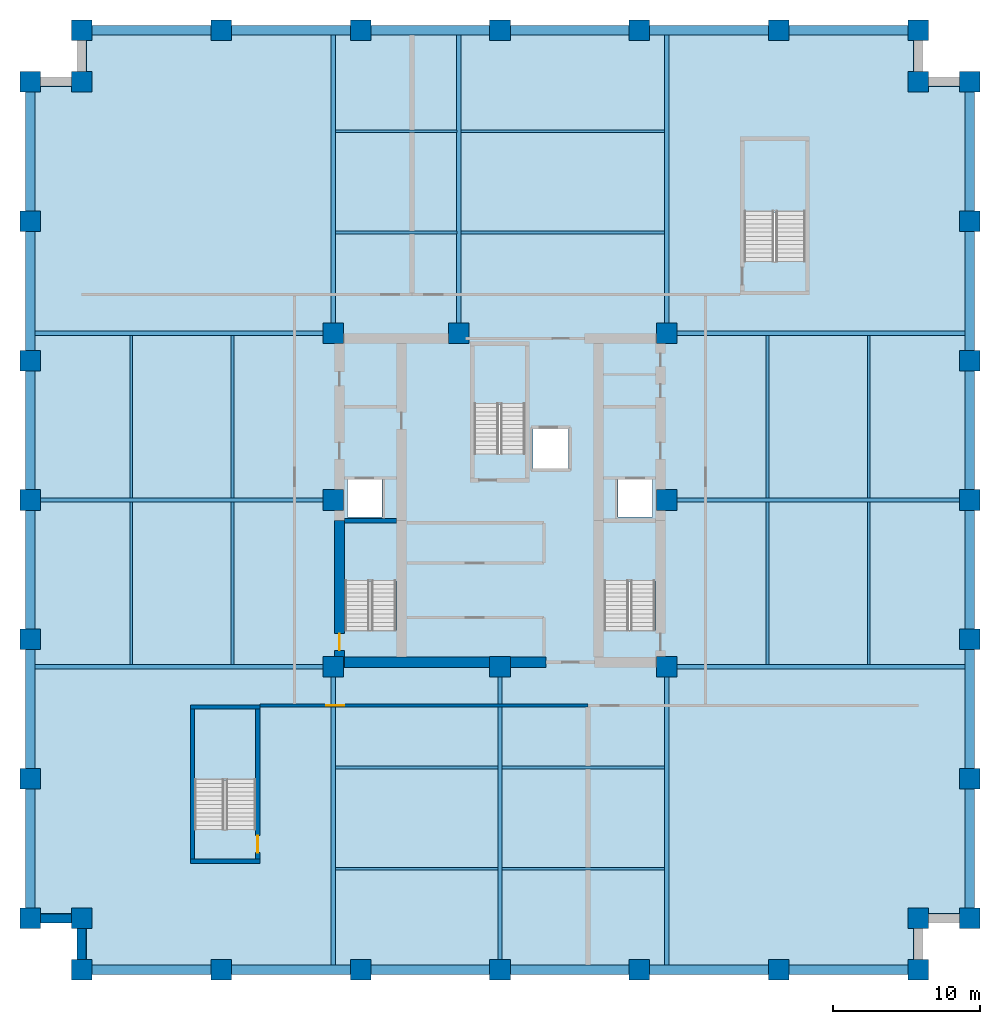
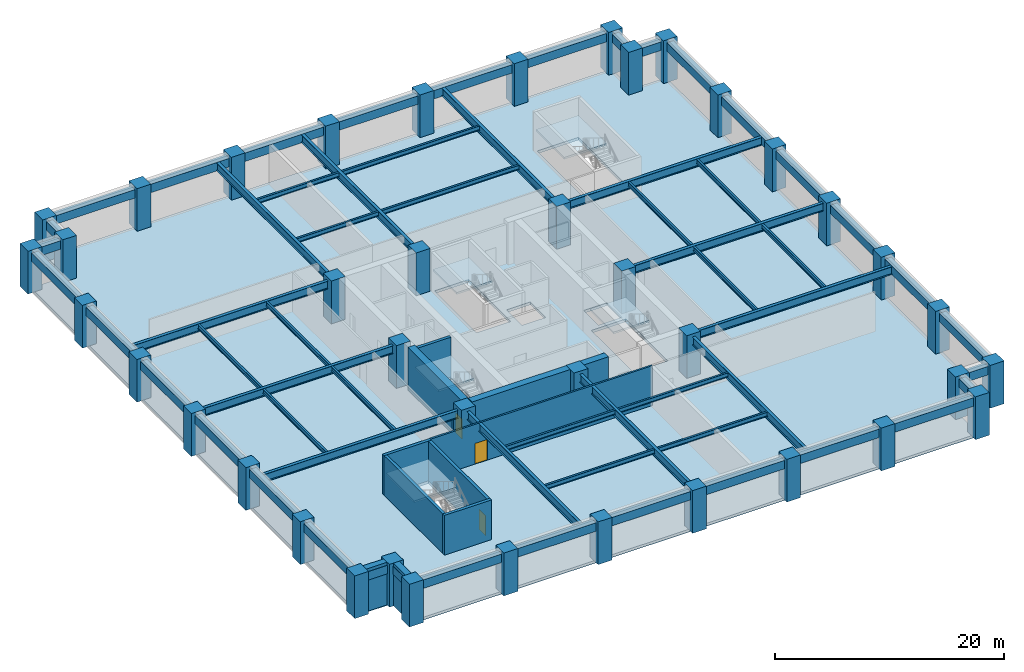
# One storey, part 1 of 6: 60 beams, 40 columns, 10 walls, 6 slabs, 3 doors, 3 openings, 5 elements without a shape of their own.
"""IFC4 building model written with IfcOpenShell, lengths in metres."""

from ifc_helpers import new_model, si_unit, direction, frame, frame_2d, origin, origin_2d, place, context, subcontext, project, spatial, polyline, rectangle, i_section, outline, extrude, material, layer, layer_set, material_profile, profile_set, type_object, element, fill, aggregate, save


model = new_model("IFC4")

# Units and contexts
model_context = context("Model", 3, precision=1e-05, world=origin(), true_north=direction((0.0, 1.0)))
body_context = subcontext(model_context, "Body", "Model", "MODEL_VIEW")
ifc_project = project(units=[si_unit("LENGTHUNIT", "METRE"), si_unit("AREAUNIT", "SQUARE_METRE"), si_unit("VOLUMEUNIT", "CUBIC_METRE"), si_unit("PLANEANGLEUNIT", "RADIAN"), si_unit("MASSUNIT", "GRAM", prefix="KILO")], contexts=[model_context])

# Site, building, storey
site_placement = place(None, origin())
site = spatial("IfcSite", under=ifc_project, at=site_placement, CompositionType="ELEMENT")
building_placement = place(site_placement, origin())
building = spatial("IfcBuilding", under=site, at=building_placement, Name="Nhamokura Convention Tower", CompositionType="ELEMENT")
storey_placement = place(building_placement, frame((0.0, 0.0, -4.550048828125)))
storey = spatial("IfcBuildingStorey", under=building, at=storey_placement, Name="B01", CompositionType="ELEMENT", Elevation=-4.550048828125)

# Columns
ifc_material_1 = material(Name="Concrete C70/85", Category="concrete")
ifc_material_profile_1 = material_profile(ifc_material_1, rectangle(XDim=1.39990234375, YDim=1.39990234375, at=origin_2d()))
ifc_profile_set_1 = profile_set([ifc_material_profile_1], Name="Concrete C70/85")
column_type = type_object("IfcColumnType", Name="TubeColumn_B_1400", PredefinedType="COLUMN", material=ifc_profile_set_1)
for number, where, z_axis, x_axis, name in (
    (1, (20.64990234375, 20.64990234375, 0.0), (0.0, 0.0, 1.0), (1.0, 0.0, 0.0), "B01 Core Column CC-SW"),
    (2, (32.0, 20.64990234375, 0.0), (0.0, 0.0, 1.0), (1.0, 0.0, 0.0), "B01 Core Column CC-S"),
    (3, (43.35009765625, 20.64990234375, 0.0), (0.0, 0.0, 1.0), (1.0, 0.0, 0.0), "B01 Core Column CC-SE"),
    (4, (43.35009765625, 32.0, 0.0), (0.0, 0.0, 1.0), (1.0, 0.0, 0.0), "B01 Core Column CC-E"),
    (5, (43.35009765625, 43.35009765625, 0.0), (0.0, 0.0, 1.0), (1.0, 0.0, 0.0), "B01 Core Column CC-NE"),
    (6, (29.199951171875, 43.35009765625, 0.0), (0.0, 0.0, 1.0), (1.0, 0.0, 0.0), "B01 Core Column CC-N"),
    (7, (20.64990234375, 43.35009765625, 0.0), (0.0, 0.0, 1.0), (1.0, 0.0, 0.0), "B01 Core Column CC-NW"),
    (8, (20.64990234375, 32.0, 0.0), (0.0, 0.0, 1.0), (1.0, 0.0, 0.0), "B01 Core Column CC-W"),
    (9, (3.5, 0.0, 0.0), (0.0, 0.0, 1.0), (1.0, 0.0, 0.0), "B01 Perimeter Tube Column SW1"),
    (10, (3.5, 3.5, 0.0), (0.0, 0.0, 1.0), (1.0, 0.0, 0.0), "B01 Perimeter Tube Column SW0"),
    (11, (0.0, 3.5, 0.0), (0.0, 0.0, 1.0), (1.0, 0.0, 0.0), "B01 Perimeter Tube Column SW2"),
    (12, (60.5, 0.0, 0.0), (0.0, 0.0, 1.0), (1.0, 0.0, 0.0), "B01 Perimeter Tube Column SE1"),
    (13, (60.5, 3.5, 0.0), (0.0, 0.0, 1.0), (1.0, 0.0, 0.0), "B01 Perimeter Tube Column SE0"),
    (14, (64.0, 3.5, 0.0), (0.0, 0.0, 1.0), (1.0, 0.0, 0.0), "B01 Perimeter Tube Column SE2"),
    (15, (64.0, 60.5, 0.0), (0.0, 0.0, 1.0), (1.0, 0.0, 0.0), "B01 Perimeter Tube Column NE1"),
    (16, (60.5, 60.5, 0.0), (0.0, 0.0, 1.0), (1.0, 0.0, 0.0), "B01 Perimeter Tube Column NE0"),
    (17, (60.5, 64.0, 0.0), (0.0, 0.0, 1.0), (1.0, 0.0, 0.0), "B01 Perimeter Tube Column NE2"),
    (18, (3.5, 64.0, 0.0), (0.0, 0.0, 1.0), (1.0, 0.0, 0.0), "B01 Perimeter Tube Column NW1"),
    (19, (3.5, 60.5, 0.0), (0.0, 0.0, 1.0), (1.0, 0.0, 0.0), "B01 Perimeter Tube Column NW0"),
    (20, (0.0, 60.5, 0.0), (0.0, 0.0, 1.0), (1.0, 0.0, 0.0), "B01 Perimeter Tube Column NW2"),
    (21, (13.0, 0.0, 0.0), (0.0, 0.0, 1.0), (1.0, 0.0, 0.0), "B01 Perimeter Tube Column S1"),
    (22, (13.0, 64.0, 0.0), (0.0, 0.0, 1.0), (1.0, 0.0, 0.0), "B01 Perimeter Tube Column N1"),
    (23, (0.0, 13.0, 0.0), (0.0, 0.0, 1.0), (1.0, 0.0, 0.0), "B01 Perimeter Tube Column W1"),
    (24, (64.0, 13.0, 0.0), (0.0, 0.0, 1.0), (1.0, 0.0, 0.0), "B01 Perimeter Tube Column E1"),
    (25, (22.5, 0.0, 0.0), (0.0, 0.0, 1.0), (1.0, 0.0, 0.0), "B01 Perimeter Tube Column S2"),
    (26, (22.5, 64.0, 0.0), (0.0, 0.0, 1.0), (1.0, 0.0, 0.0), "B01 Perimeter Tube Column N2"),
    (27, (0.0, 22.5, 0.0), (0.0, 0.0, 1.0), (1.0, 0.0, 0.0), "B01 Perimeter Tube Column W2"),
    (28, (64.0, 22.5, 0.0), (0.0, 0.0, 1.0), (1.0, 0.0, 0.0), "B01 Perimeter Tube Column E2"),
    (29, (32.0, 0.0, 0.0), (0.0, 0.0, 1.0), (1.0, 0.0, 0.0), "B01 Perimeter Tube Column S3"),
    (30, (32.0, 64.0, 0.0), (0.0, 0.0, 1.0), (1.0, 0.0, 0.0), "B01 Perimeter Tube Column N3"),
    (31, (0.0, 32.0, 0.0), (0.0, 0.0, 1.0), (1.0, 0.0, 0.0), "B01 Perimeter Tube Column W3"),
    (32, (64.0, 32.0, 0.0), (0.0, 0.0, 1.0), (1.0, 0.0, 0.0), "B01 Perimeter Tube Column E3"),
    (33, (41.5, 0.0, 0.0), (0.0, 0.0, 1.0), (1.0, 0.0, 0.0), "B01 Perimeter Tube Column S4"),
    (34, (41.5, 64.0, 0.0), (0.0, 0.0, 1.0), (1.0, 0.0, 0.0), "B01 Perimeter Tube Column N4"),
    (35, (0.0, 41.5, 0.0), (0.0, 0.0, 1.0), (1.0, 0.0, 0.0), "B01 Perimeter Tube Column W4"),
    (36, (64.0, 41.5, 0.0), (0.0, 0.0, 1.0), (1.0, 0.0, 0.0), "B01 Perimeter Tube Column E4"),
    (37, (51.0, 0.0, 0.0), (0.0, 0.0, 1.0), (1.0, 0.0, 0.0), "B01 Perimeter Tube Column S5"),
    (38, (51.0, 64.0, 0.0), (0.0, 0.0, 1.0), (1.0, 0.0, 0.0), "B01 Perimeter Tube Column N5"),
    (39, (0.0, 51.0, 0.0), (0.0, 0.0, 1.0), (1.0, 0.0, 0.0), "B01 Perimeter Tube Column W5"),
    (40, (64.0, 51.0, 0.0), (0.0, 0.0, 1.0), (1.0, 0.0, 0.0), "B01 Perimeter Tube Column E5"),
):
    element("IfcColumn", number, at=place(storey_placement, frame(where, z_axis=z_axis, x_axis=x_axis)), inside=storey, type_object=column_type, Name=name, PredefinedType="COLUMN", context=body_context, shape_type="SweptSolid", body=[
        extrude(rectangle(XDim=1.39990234375, YDim=1.39990234375, at=origin_2d()), origin(), (0.0, 0.0, 1.0), 4.550048828125),
    ])

# Beams
ifc_material_2 = material(Name="Steel ASTM A992 Gr 50", Category="steel")
ifc_material_profile_2 = material_profile(ifc_material_2, i_section(OverallWidth=0.19189453125, OverallDepth=0.462890625, WebThickness=0.010498046875, FlangeThickness=0.017578125, at=origin_2d()))
ifc_profile_set_2 = profile_set([ifc_material_profile_2], Name="Steel ASTM A992 Gr 50")
beam_type_1 = type_object("IfcBeamType", Name="FloorJoist_W460X89", PredefinedType="JOIST", material=ifc_profile_set_2)
for number, where, z_axis, x_axis, name in (
    (41, (20.794921875, 6.88330078125, 3.99853515625), (1.0, 0.0, 0.0), (0.0, 1.0, 0.0), "B01 Composite Floor Joist S1A"),
    (42, (32.14501953125, 6.88330078125, 3.99853515625), (1.0, 0.0, 0.0), (0.0, 1.0, 0.0), "B01 Composite Floor Joist S1B"),
    (43, (20.794921875, 13.7666015625, 3.99853515625), (1.0, 0.0, 0.0), (0.0, 1.0, 0.0), "B01 Composite Floor Joist S2A"),
    (44, (32.14501953125, 13.7666015625, 3.99853515625), (1.0, 0.0, 0.0), (0.0, 1.0, 0.0), "B01 Composite Floor Joist S2B"),
):
    element("IfcBeam", number, at=place(storey_placement, frame(where, z_axis=z_axis, x_axis=x_axis)), inside=storey, type_object=beam_type_1, Name=name, PredefinedType="JOIST", context=body_context, shape_type="SweptSolid", body=[
        extrude(i_section(OverallWidth=0.19189453125, OverallDepth=0.462890625, WebThickness=0.010498046875, FlangeThickness=0.017578125, at=origin_2d()), origin(), (0.0, 0.0, 1.0), 11.06005859375),
    ])
beam_1_placement = place(storey_placement, frame((20.794921875, 50.2333984375, 3.99853515625), z_axis=(1.0, 0.0, 0.0), x_axis=(0.0, 1.0, 0.0)))
element("IfcBeam", 45, at=beam_1_placement, inside=storey, type_object=beam_type_1, Name="B01 Composite Floor Joist N1A", PredefinedType="JOIST", context=body_context, shape_type="SweptSolid", body=[
    extrude(i_section(OverallWidth=0.19189453125, OverallDepth=0.462890625, WebThickness=0.010498046875, FlangeThickness=0.017578125, at=origin_2d()), origin(), (0.0, 0.0, 1.0), 8.260009765625),
])
beam_2_placement = place(storey_placement, frame((29.344970703125, 50.2333984375, 3.99853515625), z_axis=(1.0, 0.0, 0.0), x_axis=(0.0, 1.0, 0.0)))
element("IfcBeam", 46, at=beam_2_placement, inside=storey, type_object=beam_type_1, Name="B01 Composite Floor Joist N1B", PredefinedType="JOIST", context=body_context, shape_type="SweptSolid", body=[
    extrude(i_section(OverallWidth=0.19189453125, OverallDepth=0.462890625, WebThickness=0.010498046875, FlangeThickness=0.017578125, at=origin_2d()), origin(), (0.0, 0.0, 1.0), 13.860107421875),
])
beam_3_placement = place(storey_placement, frame((20.794921875, 57.11669921875, 3.99853515625), z_axis=(1.0, 0.0, 0.0), x_axis=(0.0, 1.0, 0.0)))
element("IfcBeam", 47, at=beam_3_placement, inside=storey, type_object=beam_type_1, Name="B01 Composite Floor Joist N2A", PredefinedType="JOIST", context=body_context, shape_type="SweptSolid", body=[
    extrude(i_section(OverallWidth=0.19189453125, OverallDepth=0.462890625, WebThickness=0.010498046875, FlangeThickness=0.017578125, at=origin_2d()), origin(), (0.0, 0.0, 1.0), 8.260009765625),
])
beam_4_placement = place(storey_placement, frame((29.344970703125, 57.11669921875, 3.99853515625), z_axis=(1.0, 0.0, 0.0), x_axis=(0.0, 1.0, 0.0)))
element("IfcBeam", 48, at=beam_4_placement, inside=storey, type_object=beam_type_1, Name="B01 Composite Floor Joist N2B", PredefinedType="JOIST", context=body_context, shape_type="SweptSolid", body=[
    extrude(i_section(OverallWidth=0.19189453125, OverallDepth=0.462890625, WebThickness=0.010498046875, FlangeThickness=0.017578125, at=origin_2d()), origin(), (0.0, 0.0, 1.0), 13.860107421875),
])
for number, where, z_axis, x_axis, name in (
    (49, (6.88330078125, 20.794921875, 3.99853515625), (0.0, 1.0, 0.0), (-1.0, 0.0, 0.0), "B01 Composite Floor Joist W1A"),
    (50, (6.88330078125, 32.14501953125, 3.99853515625), (0.0, 1.0, 0.0), (-1.0, 0.0, 0.0), "B01 Composite Floor Joist W1B"),
    (51, (13.7666015625, 20.794921875, 3.99853515625), (0.0, 1.0, 0.0), (-1.0, 0.0, 0.0), "B01 Composite Floor Joist W2A"),
    (52, (13.7666015625, 32.14501953125, 3.99853515625), (0.0, 1.0, 0.0), (-1.0, 0.0, 0.0), "B01 Composite Floor Joist W2B"),
    (53, (50.2333984375, 20.794921875, 3.99853515625), (0.0, 1.0, 0.0), (-1.0, 0.0, 0.0), "B01 Composite Floor Joist E1A"),
    (54, (50.2333984375, 32.14501953125, 3.99853515625), (0.0, 1.0, 0.0), (-1.0, 0.0, 0.0), "B01 Composite Floor Joist E1B"),
    (55, (57.11669921875, 20.794921875, 3.99853515625), (0.0, 1.0, 0.0), (-1.0, 0.0, 0.0), "B01 Composite Floor Joist E2A"),
    (56, (57.11669921875, 32.14501953125, 3.99853515625), (0.0, 1.0, 0.0), (-1.0, 0.0, 0.0), "B01 Composite Floor Joist E2B"),
):
    element("IfcBeam", number, at=place(storey_placement, frame(where, z_axis=z_axis, x_axis=x_axis)), inside=storey, type_object=beam_type_1, Name=name, PredefinedType="JOIST", context=body_context, shape_type="SweptSolid", body=[
        extrude(i_section(OverallWidth=0.19189453125, OverallDepth=0.462890625, WebThickness=0.010498046875, FlangeThickness=0.017578125, at=origin_2d()), origin(), (0.0, 0.0, 1.0), 11.06005859375),
    ])
ifc_material_3 = material(Name="Steel ASTM A992 Gr 50", Category="steel")
ifc_material_profile_3 = material_profile(ifc_material_3, i_section(OverallWidth=0.2939453125, OverallDepth=0.85107421875, WebThickness=0.01611328125, FlangeThickness=0.02685546875, at=origin_2d()))
ifc_profile_set_3 = profile_set([ifc_material_profile_3], Name="Steel ASTM A992 Gr 50")
beam_type_2 = type_object("IfcBeamType", Name="HallGirder_W840X226", PredefinedType="BEAM", material=ifc_profile_set_3)
for number, where, z_axis, x_axis, name in (
    (57, (20.64990234375, 0.0, 3.804443359375), (0.0, 1.0, 0.0), (-1.0, 0.0, 0.0), "B01 Primary Floor Girder PG-S1"),
    (58, (32.0, 0.0, 3.804443359375), (0.0, 1.0, 0.0), (-1.0, 0.0, 0.0), "B01 Primary Floor Girder PG-S2"),
    (59, (43.35009765625, 0.0, 3.804443359375), (0.0, 1.0, 0.0), (-1.0, 0.0, 0.0), "B01 Primary Floor Girder PG-S3"),
    (60, (20.64990234375, 43.35009765625, 3.804443359375), (0.0, 1.0, 0.0), (-1.0, 0.0, 0.0), "B01 Primary Floor Girder PG-N1"),
    (61, (29.199951171875, 43.35009765625, 3.804443359375), (0.0, 1.0, 0.0), (-1.0, 0.0, 0.0), "B01 Primary Floor Girder PG-N2"),
    (62, (43.35009765625, 43.35009765625, 3.804443359375), (0.0, 1.0, 0.0), (-1.0, 0.0, 0.0), "B01 Primary Floor Girder PG-N3"),
    (63, (0.0, 20.64990234375, 3.804443359375), (1.0, 0.0, 0.0), (0.0, 1.0, 0.0), "B01 Primary Floor Girder PG-W1"),
    (64, (0.0, 32.0, 3.804443359375), (1.0, 0.0, 0.0), (0.0, 1.0, 0.0), "B01 Primary Floor Girder PG-W2"),
    (65, (0.0, 43.35009765625, 3.804443359375), (1.0, 0.0, 0.0), (0.0, 1.0, 0.0), "B01 Primary Floor Girder PG-W3"),
    (66, (43.35009765625, 20.64990234375, 3.804443359375), (1.0, 0.0, 0.0), (0.0, 1.0, 0.0), "B01 Primary Floor Girder PG-E1"),
    (67, (43.35009765625, 32.0, 3.804443359375), (1.0, 0.0, 0.0), (0.0, 1.0, 0.0), "B01 Primary Floor Girder PG-E2"),
    (68, (43.35009765625, 43.35009765625, 3.804443359375), (1.0, 0.0, 0.0), (0.0, 1.0, 0.0), "B01 Primary Floor Girder PG-E3"),
):
    element("IfcBeam", number, at=place(storey_placement, frame(where, z_axis=z_axis, x_axis=x_axis)), inside=storey, type_object=beam_type_2, Name=name, PredefinedType="BEAM", context=body_context, shape_type="SweptSolid", body=[
        extrude(i_section(OverallWidth=0.2939453125, OverallDepth=0.85107421875, WebThickness=0.01611328125, FlangeThickness=0.02685546875, at=origin_2d()), origin(), (0.0, 0.0, 1.0), 20.64990234375),
    ])
ifc_material_4 = material(Name="Concrete C60/75", Category="concrete")
ifc_material_profile_4 = material_profile(ifc_material_4, rectangle(XDim=0.64990234375, YDim=0.89990234375, at=origin_2d()))
ifc_profile_set_4 = profile_set([ifc_material_profile_4], Name="Concrete C60/75")
beam_type_3 = type_object("IfcBeamType", Name="TubeSpandrel_900", PredefinedType="SPANDREL", material=ifc_profile_set_4)
for number, where, z_axis, x_axis, name in (
    (69, (3.5, 0.0, 3.780029296875), (1.0, 0.0, 0.0), (0.0, 1.0, 0.0), "B01 Perimeter Spandrel SOUTH 1"),
    (70, (13.0, 0.0, 3.780029296875), (1.0, 0.0, 0.0), (0.0, 1.0, 0.0), "B01 Perimeter Spandrel SOUTH 2"),
    (71, (22.5, 0.0, 3.780029296875), (1.0, 0.0, 0.0), (0.0, 1.0, 0.0), "B01 Perimeter Spandrel SOUTH 3"),
    (72, (32.0, 0.0, 3.780029296875), (1.0, 0.0, 0.0), (0.0, 1.0, 0.0), "B01 Perimeter Spandrel SOUTH 4"),
    (73, (41.5, 0.0, 3.780029296875), (1.0, 0.0, 0.0), (0.0, 1.0, 0.0), "B01 Perimeter Spandrel SOUTH 5"),
    (74, (51.0, 0.0, 3.780029296875), (1.0, 0.0, 0.0), (0.0, 1.0, 0.0), "B01 Perimeter Spandrel SOUTH 6"),
    (75, (3.5, 64.0, 3.780029296875), (1.0, 0.0, 0.0), (0.0, 1.0, 0.0), "B01 Perimeter Spandrel NORTH 1"),
    (76, (13.0, 64.0, 3.780029296875), (1.0, 0.0, 0.0), (0.0, 1.0, 0.0), "B01 Perimeter Spandrel NORTH 2"),
    (77, (22.5, 64.0, 3.780029296875), (1.0, 0.0, 0.0), (0.0, 1.0, 0.0), "B01 Perimeter Spandrel NORTH 3"),
    (78, (32.0, 64.0, 3.780029296875), (1.0, 0.0, 0.0), (0.0, 1.0, 0.0), "B01 Perimeter Spandrel NORTH 4"),
    (79, (41.5, 64.0, 3.780029296875), (1.0, 0.0, 0.0), (0.0, 1.0, 0.0), "B01 Perimeter Spandrel NORTH 5"),
    (80, (51.0, 64.0, 3.780029296875), (1.0, 0.0, 0.0), (0.0, 1.0, 0.0), "B01 Perimeter Spandrel NORTH 6"),
    (81, (0.0, 3.5, 3.780029296875), (0.0, 1.0, 0.0), (-1.0, 0.0, 0.0), "B01 Perimeter Spandrel WEST 1"),
    (82, (0.0, 13.0, 3.780029296875), (0.0, 1.0, 0.0), (-1.0, 0.0, 0.0), "B01 Perimeter Spandrel WEST 2"),
    (83, (0.0, 22.5, 3.780029296875), (0.0, 1.0, 0.0), (-1.0, 0.0, 0.0), "B01 Perimeter Spandrel WEST 3"),
    (84, (0.0, 32.0, 3.780029296875), (0.0, 1.0, 0.0), (-1.0, 0.0, 0.0), "B01 Perimeter Spandrel WEST 4"),
    (85, (0.0, 41.5, 3.780029296875), (0.0, 1.0, 0.0), (-1.0, 0.0, 0.0), "B01 Perimeter Spandrel WEST 5"),
    (86, (0.0, 51.0, 3.780029296875), (0.0, 1.0, 0.0), (-1.0, 0.0, 0.0), "B01 Perimeter Spandrel WEST 6"),
    (87, (64.0, 3.5, 3.780029296875), (0.0, 1.0, 0.0), (-1.0, 0.0, 0.0), "B01 Perimeter Spandrel EAST 1"),
    (88, (64.0, 13.0, 3.780029296875), (0.0, 1.0, 0.0), (-1.0, 0.0, 0.0), "B01 Perimeter Spandrel EAST 2"),
    (89, (64.0, 22.5, 3.780029296875), (0.0, 1.0, 0.0), (-1.0, 0.0, 0.0), "B01 Perimeter Spandrel EAST 3"),
    (90, (64.0, 32.0, 3.780029296875), (0.0, 1.0, 0.0), (-1.0, 0.0, 0.0), "B01 Perimeter Spandrel EAST 4"),
    (91, (64.0, 41.5, 3.780029296875), (0.0, 1.0, 0.0), (-1.0, 0.0, 0.0), "B01 Perimeter Spandrel EAST 5"),
    (92, (64.0, 51.0, 3.780029296875), (0.0, 1.0, 0.0), (-1.0, 0.0, 0.0), "B01 Perimeter Spandrel EAST 6"),
):
    element("IfcBeam", number, at=place(storey_placement, frame(where, z_axis=z_axis, x_axis=x_axis)), inside=storey, type_object=beam_type_3, Name=name, PredefinedType="SPANDREL", context=body_context, shape_type="SweptSolid", body=[
        extrude(rectangle(XDim=0.64990234375, YDim=0.89990234375, at=origin_2d()), origin(), (0.0, 0.0, 1.0), 9.5),
    ])
for number, where, z_axis, x_axis, name in (
    (93, (3.5, 0.0, 3.780029296875), (0.0, 1.0, 0.0), (-1.0, 0.0, 0.0), "B01 Notch Spandrel SW1"),
    (94, (3.5, 3.5, 3.780029296875), (-1.0, 0.0, 0.0), (0.0, -1.0, 0.0), "B01 Notch Spandrel SW2"),
    (95, (60.5, 0.0, 3.780029296875), (0.0, 1.0, 0.0), (-1.0, 0.0, 0.0), "B01 Notch Spandrel SE1"),
    (96, (60.5, 3.5, 3.780029296875), (1.0, 0.0, 0.0), (0.0, 1.0, 0.0), "B01 Notch Spandrel SE2"),
    (97, (64.0, 60.5, 3.780029296875), (-1.0, 0.0, 0.0), (0.0, -1.0, 0.0), "B01 Notch Spandrel NE1"),
    (98, (60.5, 60.5, 3.780029296875), (0.0, 1.0, 0.0), (-1.0, 0.0, 0.0), "B01 Notch Spandrel NE2"),
    (99, (3.5, 64.0, 3.780029296875), (0.0, -1.0, 0.0), (1.0, 0.0, 0.0), "B01 Notch Spandrel NW1"),
    (100, (3.5, 60.5, 3.780029296875), (-1.0, 0.0, 0.0), (0.0, -1.0, 0.0), "B01 Notch Spandrel NW2"),
):
    element("IfcBeam", number, at=place(storey_placement, frame(where, z_axis=z_axis, x_axis=x_axis)), inside=storey, type_object=beam_type_3, Name=name, PredefinedType="SPANDREL", context=body_context, shape_type="SweptSolid", body=[
        extrude(rectangle(XDim=0.64990234375, YDim=0.89990234375, at=origin_2d()), origin(), (0.0, 0.0, 1.0), 3.5),
    ])

# Slab
ifc_material_5 = material(Name="Concrete C50/60", Category="concrete")
ifc_layer_1 = layer(ifc_material_5, 0.300048828125)
ifc_layer_set_1 = layer_set([ifc_layer_1], Name="BasementFloorSlab_300")
slab_type_1 = type_object("IfcSlabType", Name="BasementFloorSlab_300", PredefinedType="FLOOR", material=ifc_layer_set_1)
slab_1_placement = place(storey_placement, frame((0.0, 0.0, -0.300048828125)))
element("IfcSlab", 101, at=slab_1_placement, inside=storey, type_object=slab_type_1, Name="B01 Structural Floor Slab", PredefinedType="FLOOR", context=body_context, shape_type="SweptSolid", body=[
    extrude(outline(polyline([(3.5, 0.0), (60.5, 0.0), (60.5, 3.5), (64.0, 3.5), (64.0, 60.5), (60.5, 60.5), (60.5, 64.0), (3.5, 64.0), (3.5, 60.5), (0.0, 60.5), (0.0, 3.5), (3.5, 3.5), (3.5, 0.0)]), holes=[polyline([(24.89990234375, 23.10009765625), (24.89990234375, 30.449951171875), (21.449951171875, 30.449951171875), (21.449951171875, 23.10009765625), (24.89990234375, 23.10009765625)]), polyline([(42.550048828125, 23.10009765625), (42.550048828125, 30.449951171875), (39.10009765625, 30.449951171875), (39.10009765625, 23.10009765625), (42.550048828125, 23.10009765625)]), polyline([(33.699951171875, 35.14990234375), (33.699951171875, 42.5), (30.25, 42.5), (30.25, 35.14990234375), (33.699951171875, 35.14990234375)]), polyline([(15.35009765625, 9.550048828125), (15.35009765625, 17.75), (11.199951171875, 17.75), (11.199951171875, 9.550048828125), (15.35009765625, 9.550048828125)]), polyline([(52.800048828125, 48.25), (52.800048828125, 56.449951171875), (48.64990234375, 56.449951171875), (48.64990234375, 48.25), (52.800048828125, 48.25)]), polyline([(21.60009765625, 30.85009765625), (23.949951171875, 30.85009765625), (23.949951171875, 33.39990234375), (21.60009765625, 33.39990234375), (21.60009765625, 30.85009765625)]), polyline([(40.050048828125, 30.85009765625), (42.39990234375, 30.85009765625), (42.39990234375, 33.39990234375), (40.050048828125, 33.39990234375), (40.050048828125, 30.85009765625)]), polyline([(34.25, 34.14990234375), (36.64990234375, 34.14990234375), (36.64990234375, 36.85009765625), (34.25, 36.85009765625), (34.25, 34.14990234375)])]), origin(), (0.0, 0.0, 1.0), 0.300048828125),
])

# Stair, slab
ifc_material_6 = material(Name="Concrete C40/50", Category="concrete")
stair_type_1 = type_object("IfcStairType", Name="TowerCoreStair_1650", PredefinedType="HALF_TURN_STAIR", material=ifc_material_6)
stair_1_placement = place(storey_placement, origin())
stair_1 = element("IfcStair", 102, at=stair_1_placement, inside=storey, type_object=stair_type_1, Name="B01 West Core Smokeproof Stair ST-01", PredefinedType="HALF_TURN_STAIR")
ifc_material_7 = material(Name="Concrete C40/50", Category="concrete")
ifc_layer_2 = layer(ifc_material_7, 0.199951171875)
ifc_layer_set_2 = layer_set([ifc_layer_2], Name="StairLandingSlab_200")
slab_type_2 = type_object("IfcSlabType", Name="StairLandingSlab_200", PredefinedType="LANDING", material=ifc_layer_set_2)
slab_2_placement = place(storey_placement, frame((0.0, 0.0, 2.074951171875)))
slab_2 = element("IfcSlab", 103, at=slab_2_placement, type_object=slab_type_2, Name="ST-01 landing 1", PredefinedType="LANDING", context=body_context, shape_type="SweptSolid", body=[
    extrude(outline(polyline([(24.97998046875, 26.43994140625), (24.97998046875, 30.530029296875), (21.3701171875, 30.530029296875), (21.3701171875, 26.43994140625), (24.97998046875, 26.43994140625)])), origin(), (0.0, 0.0, 1.0), 0.2001953125),
])
aggregate(stair_1, [slab_2])

stair_2_placement = place(storey_placement, origin())
stair_2 = element("IfcStair", 104, at=stair_2_placement, inside=storey, type_object=stair_type_1, Name="B01 East Core Smokeproof Stair ST-02", PredefinedType="HALF_TURN_STAIR")
slab_3_placement = place(storey_placement, frame((0.0, 0.0, 2.074951171875)))
slab_3 = element("IfcSlab", 105, at=slab_3_placement, type_object=slab_type_2, Name="ST-02 landing 1", PredefinedType="LANDING", context=body_context, shape_type="SweptSolid", body=[
    extrude(outline(polyline([(42.6298828125, 26.43994140625), (42.6298828125, 30.530029296875), (39.02001953125, 30.530029296875), (39.02001953125, 26.43994140625), (42.6298828125, 26.43994140625)])), origin(), (0.0, 0.0, 1.0), 0.2001953125),
])
aggregate(stair_2, [slab_3])

stair_3_placement = place(storey_placement, origin())
stair_3 = element("IfcStair", 106, at=stair_3_placement, inside=storey, type_object=stair_type_1, Name="B01 North Core Smokeproof Stair ST-03", PredefinedType="HALF_TURN_STAIR")
slab_4_placement = place(storey_placement, frame((0.0, 0.0, 2.074951171875)))
slab_4 = element("IfcSlab", 107, at=slab_4_placement, type_object=slab_type_2, Name="ST-03 landing 1", PredefinedType="LANDING", context=body_context, shape_type="SweptSolid", body=[
    extrude(outline(polyline([(33.780029296875, 38.489990234375), (33.780029296875, 42.580078125), (30.169921875, 42.580078125), (30.169921875, 38.489990234375), (33.780029296875, 38.489990234375)])), origin(), (0.0, 0.0, 1.0), 0.2001953125),
])
aggregate(stair_3, [slab_4])

ifc_material_8 = material(Name="Concrete C40/50", Category="concrete")
stair_type_2 = type_object("IfcStairType", Name="PodiumExitStair_2000", PredefinedType="HALF_TURN_STAIR", material=ifc_material_8)
stair_4_placement = place(storey_placement, origin())
stair_4 = element("IfcStair", 108, at=stair_4_placement, inside=storey, type_object=stair_type_2, Name="B01 South-West Podium Smokeproof Stair ST-04", PredefinedType="HALF_TURN_STAIR")
slab_5_placement = place(storey_placement, frame((0.0, 0.0, 2.074951171875)))
slab_5 = element("IfcSlab", 109, at=slab_5_placement, type_object=slab_type_2, Name="ST-04 landing 1", PredefinedType="LANDING", context=body_context, shape_type="SweptSolid", body=[
    extrude(outline(polyline([(15.429931640625, 12.889892578125), (15.429931640625, 17.830078125), (11.1201171875, 17.830078125), (11.1201171875, 12.889892578125), (15.429931640625, 12.889892578125)])), origin(), (0.0, 0.0, 1.0), 0.2001953125),
])
aggregate(stair_4, [slab_5])

stair_5_placement = place(storey_placement, origin())
stair_5 = element("IfcStair", 110, at=stair_5_placement, inside=storey, type_object=stair_type_2, Name="B01 North-East Podium Smokeproof Stair ST-05", PredefinedType="HALF_TURN_STAIR")
slab_6_placement = place(storey_placement, frame((0.0, 0.0, 2.074951171875)))
slab_6 = element("IfcSlab", 111, at=slab_6_placement, type_object=slab_type_2, Name="ST-05 landing 1", PredefinedType="LANDING", context=body_context, shape_type="SweptSolid", body=[
    extrude(outline(polyline([(52.8798828125, 51.590087890625), (52.8798828125, 56.530029296875), (48.570068359375, 56.530029296875), (48.570068359375, 51.590087890625), (52.8798828125, 51.590087890625)])), origin(), (0.0, 0.0, 1.0), 0.2001953125),
])
aggregate(stair_5, [slab_6])

# Walls
ifc_material_9 = material(Name="Concrete C50/60", Category="concrete")
ifc_layer_3 = layer(ifc_material_9, 0.60009765625)
ifc_layer_set_3 = layer_set([ifc_layer_3], Name="BasementRetainingWall_600")
wall_type_1 = type_object("IfcWallType", Name="BasementRetainingWall_600", PredefinedType="USERDEFINED", material=ifc_layer_set_3)
for number, where, z_axis, x_axis, name in (
    (112, (0.0, 3.5, 0.0), (0.0, 0.0, 1.0), (1.0, 0.0, 0.0), "B01 Perimeter Retaining Wall 11"),
    (113, (3.5, 3.5, 0.0), (0.0, 0.0, 1.0), (0.0, -1.0, 0.0), "B01 Perimeter Retaining Wall 12"),
):
    element("IfcWall", number, at=place(storey_placement, frame(where, z_axis=z_axis, x_axis=x_axis)), inside=storey, type_object=wall_type_1, Name=name, ObjectType="RETAININGWALL", PredefinedType="USERDEFINED", context=body_context, shape_type="SweptSolid", body=[
        extrude(rectangle(XDim=3.5, YDim=0.60009765625, at=frame_2d((1.75, 0.0))), origin(), (0.0, 0.0, 1.0), 4.550048828125),
    ])

# Wall, opening, door
ifc_material_10 = material(Name="Concrete C70/85", Category="concrete")
ifc_layer_4 = layer(ifc_material_10, 0.699951171875)
ifc_layer_set_4 = layer_set([ifc_layer_4], Name="CoreShearWall_700")
wall_type_2 = type_object("IfcWallType", Name="CoreShearWall_700", PredefinedType="SHEAR", material=ifc_layer_set_4)
wall_1_placement = place(storey_placement, frame((21.06005859375, 20.60009765625, 0.0), z_axis=(0.0, 0.0, 1.0), x_axis=(0.0, 1.0, 0.0)))
wall_1 = element("IfcWall", 114, at=wall_1_placement, inside=storey, type_object=wall_type_2, Name="B01 Core Shear Wall CW-WS", PredefinedType="SHEAR", context=body_context, shape_type="SweptSolid", body=[
    extrude(rectangle(XDim=10.0, YDim=0.699951171875, at=frame_2d((5.0, 0.0))), origin(), (0.0, 0.0, 1.0), 4.550048828125),
])
opening_1_placement = place(wall_1_placement, frame((1.14990234375, 0.0, 0.0)))
opening_1 = element("IfcOpeningElement", 115, at=opening_1_placement, cuts=wall_1, Name="Opening D-04", PredefinedType="OPENING", context=body_context, shape_type="SweptSolid", body=[
    extrude(rectangle(XDim=1.14990234375, YDim=2.14990234375, at=frame_2d((0.574951171875, 1.074951171875))), frame((0.0, 0.35986328125, 0.0), z_axis=(0.0, -1.0, 0.0), x_axis=(1.0, 0.0, 0.0)), (0.0, 0.0, 1.0), 0.719970703125),
])
ifc_material_11 = material(Name="Fire-rated steel door", Category="steel")
door_type_1 = type_object("IfcDoorType", Name="StairSmokeDoor_1150", OperationType="NOTDEFINED", PredefinedType="DOOR", material=ifc_material_11)
door_1_placement = place(opening_1_placement, origin())
door_1 = element("IfcDoor", 116, at=door_1_placement, inside=storey, type_object=door_type_1, Name="B01 Core Door INT-B01-D-ST01", OperationType="SINGLE_SWING_LEFT", OverallHeight=2.14990234375, OverallWidth=1.14990234375, PredefinedType="DOOR", context=body_context, shape_type="SweptSolid", body=[
    extrude(rectangle(XDim=1.14990234375, YDim=2.14990234375, at=frame_2d((0.574951171875, 1.074951171875))), frame((0.0, 0.02490234375, 0.0), z_axis=(0.0, -1.0, 0.0), x_axis=(1.0, 0.0, 0.0)), (0.0, 0.0, 1.0), 0.050048828125),
])
fill(opening_1, door_1)

# Wall
wall_2_placement = place(storey_placement, frame((21.409912109375, 20.949951171875, 0.0), z_axis=(0.0, 0.0, 1.0), x_axis=(1.0, 0.0, 0.0)))
element("IfcWall", 117, at=wall_2_placement, inside=storey, type_object=wall_type_2, Name="B01 Core Shear Wall CW-S1", PredefinedType="SHEAR", context=body_context, shape_type="SweptSolid", body=[
    extrude(rectangle(XDim=13.739990234375, YDim=0.699951171875, at=frame_2d((6.8701171875, 0.0))), origin(), (0.0, 0.0, 1.0), 4.550048828125),
])

# Wall, opening, door
ifc_material_12 = material(Name="Fire-rated gypsum and masonry partition", Category="masonry")
ifc_layer_5 = layer(ifc_material_12, 0.179931640625)
ifc_layer_set_5 = layer_set([ifc_layer_5], Name="CorridorRatedWall_180")
wall_type_3 = type_object("IfcWallType", Name="CorridorRatedWall_180", PredefinedType="STANDARD", material=ifc_layer_set_5)
wall_3_placement = place(storey_placement, frame((15.64990234375, 18.0, 0.0), z_axis=(0.0, 0.0, 1.0), x_axis=(1.0, 0.0, 0.0)))
wall_3 = element("IfcWall", 118, at=wall_3_placement, inside=storey, type_object=wall_type_3, Name="B01 Wall INT-B01-CW-S00", PredefinedType="STANDARD", context=body_context, shape_type="SweptSolid", body=[
    extrude(rectangle(XDim=22.35009765625, YDim=0.179931640625, at=frame_2d((11.175048828125, 0.0))), origin(), (0.0, 0.0, 1.0), 4.22998046875),
])
opening_2_placement = place(wall_3_placement, frame((4.5, 0.0, 0.0)))
opening_2 = element("IfcOpeningElement", 119, at=opening_2_placement, cuts=wall_3, Name="Opening D-12", PredefinedType="OPENING", context=body_context, shape_type="SweptSolid", body=[
    extrude(rectangle(XDim=1.25, YDim=2.199951171875, at=frame_2d((0.625, 1.10009765625))), frame((0.0, 0.099853515625, 0.0), z_axis=(0.0, -1.0, 0.0), x_axis=(1.0, 0.0, 0.0)), (0.0, 0.0, 1.0), 0.199951171875),
])
ifc_material_13 = material(Name="Fire-rated steel door", Category="steel")
door_type_2 = type_object("IfcDoorType", Name="PlantServiceDoor_1250", OperationType="NOTDEFINED", PredefinedType="DOOR", material=ifc_material_13)
door_2_placement = place(opening_2_placement, origin())
door_2 = element("IfcDoor", 120, at=door_2_placement, inside=storey, type_object=door_type_2, Name="B01 Central Banquet Kitchen S01 Door", OperationType="SINGLE_SWING_LEFT", OverallHeight=2.199951171875, OverallWidth=1.25, PredefinedType="DOOR", context=body_context, shape_type="SweptSolid", body=[
    extrude(rectangle(XDim=1.25, YDim=2.199951171875, at=frame_2d((0.625, 1.10009765625))), frame((0.0, 0.02490234375, 0.0), z_axis=(0.0, -1.0, 0.0), x_axis=(1.0, 0.0, 0.0)), (0.0, 0.0, 1.0), 0.050048828125),
])
fill(opening_2, door_2)

# Walls
ifc_material_14 = material(Name="Concrete C50/60", Category="concrete")
ifc_layer_6 = layer(ifc_material_14, 0.300048828125)
ifc_layer_set_6 = layer_set([ifc_layer_6], Name="ShaftEnclosureWall_300")
wall_type_4 = type_object("IfcWallType", Name="ShaftEnclosureWall_300", PredefinedType="SHEAR", material=ifc_layer_set_6)
wall_4_placement = place(storey_placement, frame((21.409912109375, 30.60009765625, 0.0), z_axis=(0.0, 0.0, 1.0), x_axis=(1.0, 0.0, 0.0)))
element("IfcWall", 121, at=wall_4_placement, inside=storey, type_object=wall_type_4, Name="B01 Wall INT-B01-ST01-N", PredefinedType="SHEAR", context=body_context, shape_type="SweptSolid", body=[
    extrude(rectangle(XDim=3.530029296875, YDim=0.300048828125, at=frame_2d((1.76513671875, 0.0))), origin(), (0.0, 0.0, 1.0), 4.22998046875),
])
wall_5_placement = place(storey_placement, frame((11.050048828125, 7.39990234375, 0.0), z_axis=(0.0, 0.0, 1.0), x_axis=(0.0, 1.0, 0.0)))
element("IfcWall", 122, at=wall_5_placement, inside=storey, type_object=wall_type_4, Name="B01 Wall INT-B01-ST04-W", PredefinedType="SHEAR", context=body_context, shape_type="SweptSolid", body=[
    extrude(rectangle(XDim=10.5, YDim=0.300048828125, at=frame_2d((5.25, 0.0))), origin(), (0.0, 0.0, 1.0), 4.22998046875),
])

# Wall, opening, door
wall_6_placement = place(storey_placement, frame((15.5, 7.39990234375, 0.0), z_axis=(0.0, 0.0, 1.0), x_axis=(0.0, 1.0, 0.0)))
wall_6 = element("IfcWall", 123, at=wall_6_placement, inside=storey, type_object=wall_type_4, Name="B01 Wall INT-B01-ST04-E", PredefinedType="SHEAR", context=body_context, shape_type="SweptSolid", body=[
    extrude(rectangle(XDim=10.5, YDim=0.300048828125, at=frame_2d((5.25, 0.0))), origin(), (0.0, 0.0, 1.0), 4.22998046875),
])
opening_3_placement = place(wall_6_placement, frame((0.580078125, 0.0, 0.0)))
opening_3 = element("IfcOpeningElement", 124, at=opening_3_placement, cuts=wall_6, Name="Opening D-04", PredefinedType="OPENING", context=body_context, shape_type="SweptSolid", body=[
    extrude(rectangle(XDim=1.14990234375, YDim=2.14990234375, at=frame_2d((0.574951171875, 1.074951171875))), frame((0.0, 0.159912109375, 0.0), z_axis=(0.0, -1.0, 0.0), x_axis=(1.0, 0.0, 0.0)), (0.0, 0.0, 1.0), 0.320068359375),
])
door_3_placement = place(opening_3_placement, origin())
door_3 = element("IfcDoor", 125, at=door_3_placement, inside=storey, type_object=door_type_1, Name="B01 Stair ST-04 Smoke Door", OperationType="SINGLE_SWING_RIGHT", OverallHeight=2.14990234375, OverallWidth=1.14990234375, PredefinedType="DOOR", context=body_context, shape_type="SweptSolid", body=[
    extrude(rectangle(XDim=1.14990234375, YDim=2.14990234375, at=frame_2d((0.574951171875, 1.074951171875))), frame((0.0, 0.02490234375, 0.0), z_axis=(0.0, -1.0, 0.0), x_axis=(1.0, 0.0, 0.0)), (0.0, 0.0, 1.0), 0.050048828125),
])
fill(opening_3, door_3)

# Walls
for number, where, z_axis, x_axis, name in (
    (126, (10.89990234375, 7.39990234375, 0.0), (0.0, 0.0, 1.0), (1.0, 0.0, 0.0), "B01 Wall INT-B01-ST04-S"),
    (127, (10.89990234375, 17.89990234375, 0.0), (0.0, 0.0, 1.0), (1.0, 0.0, 0.0), "B01 Wall INT-B01-ST04-N"),
):
    element("IfcWall", number, at=place(storey_placement, frame(where, z_axis=z_axis, x_axis=x_axis)), inside=storey, type_object=wall_type_4, Name=name, PredefinedType="SHEAR", context=body_context, shape_type="SweptSolid", body=[
        extrude(rectangle(XDim=4.75, YDim=0.300048828125, at=frame_2d((2.375, 0.0))), origin(), (0.0, 0.0, 1.0), 4.22998046875),
    ])

save(model, "model.ifc")
